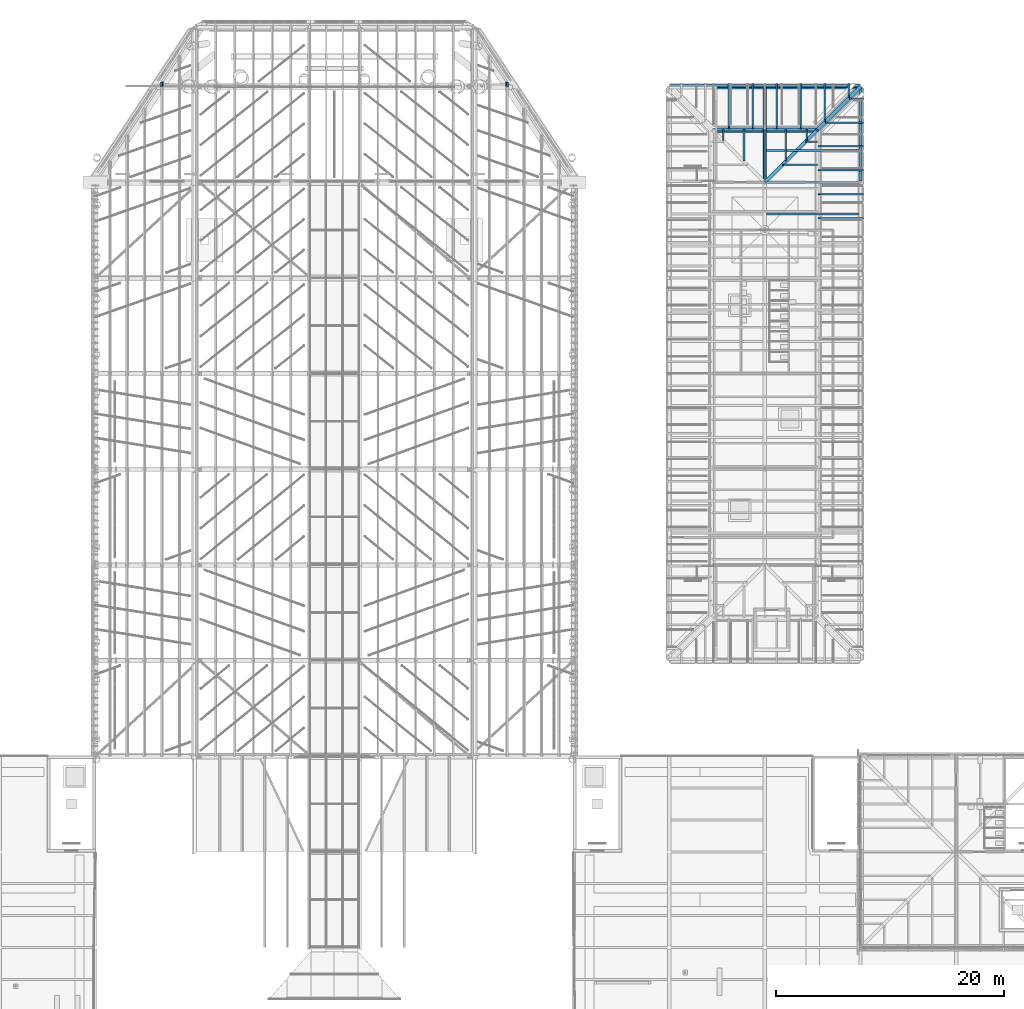
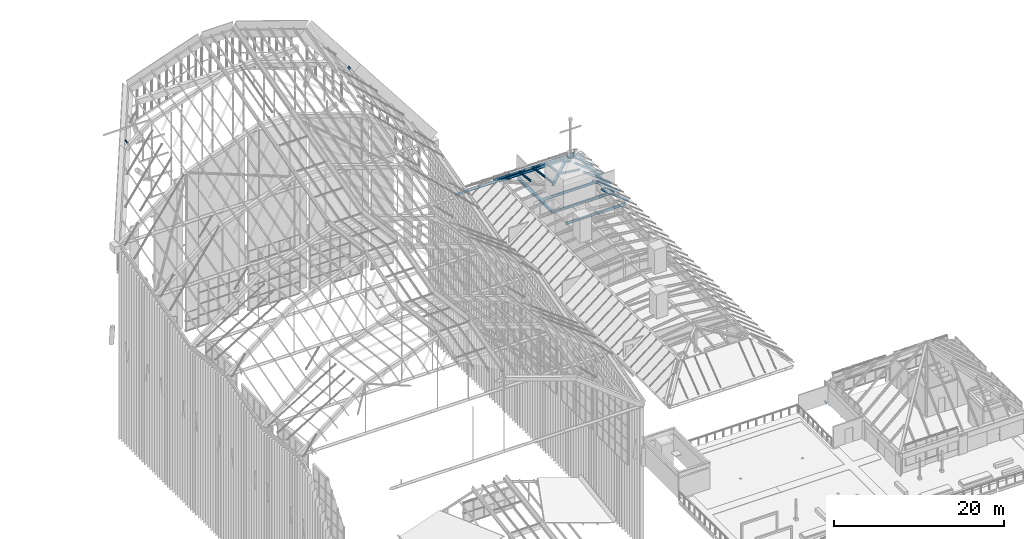
# One storey, part 68 of 126: 21 members, 10 beams.
"""IFC4 building model written with IfcOpenShell, lengths in metres."""

from ifc_helpers import new_model, si_unit, direction, frame, origin, origin_2d, place, context, subcontext, project, spatial, i_section, extrude, material, material_profile, profile_set, type_object, element, save


model = new_model("IFC4")

# Units and contexts
model_context = context("Model", 3, precision=1e-05, world=origin(), true_north=direction((0.0, 1.0)))
body_context = subcontext(model_context, "Body", "Model", "MODEL_VIEW")
ifc_project = project(units=[si_unit("LENGTHUNIT", "METRE"), si_unit("AREAUNIT", "SQUARE_METRE"), si_unit("VOLUMEUNIT", "CUBIC_METRE"), si_unit("PLANEANGLEUNIT", "RADIAN"), si_unit("MASSUNIT", "GRAM", prefix="KILO")], contexts=[model_context])

# Site, building, storey
site_placement = place(None, origin())
site = spatial("IfcSite", under=ifc_project, at=site_placement, CompositionType="ELEMENT")
building_placement = place(site_placement, origin())
building = spatial("IfcBuilding", under=site, at=building_placement, Name="Sava Quay Ferry Terminal", CompositionType="ELEMENT")
storey_placement = place(building_placement, frame((0.0, 0.0, 15.0)))
storey = spatial("IfcBuildingStorey", under=building, at=storey_placement, Name="L03", CompositionType="ELEMENT", Elevation=15.0)

# Beams
ifc_material_1 = material(Name="Steel S355", Category="steel")
ifc_material_profile_1 = material_profile(ifc_material_1, i_section(OverallWidth=0.10009765625, OverallDepth=0.199951171875, WebThickness=0.005615234375, FlangeThickness=0.008544921875, at=origin_2d()), Name="IPE 200")
ifc_profile_set_1 = profile_set([ifc_material_profile_1], Name="Steel S355")
beam_type_1 = type_object("IfcBeamType", Name="Beam IPE 200", PredefinedType="BEAM", material=ifc_profile_set_1)
beam_1_placement = place(storey_placement, frame((108.97509765625, 50.400390625, -0.10009765625), z_axis=(0.0, 1.0, 0.0), x_axis=(-1.0, 0.0, 0.0)))
element("IfcBeam", 1, at=beam_1_placement, inside=storey, type_object=beam_type_1, Name="Pier bracket Pier P-W-PAV grid 50.4", PredefinedType="BEAM", context=body_context, shape_type="SweptSolid", body=[
    extrude(i_section(OverallWidth=0.10009765625, OverallDepth=0.199951171875, WebThickness=0.005615234375, FlangeThickness=0.008544921875, at=origin_2d()), origin(), (0.0, 0.0, 1.0), 0.599609375),
])
ifc_material_2 = material(Name="Steel S355", Category="steel")
ifc_material_profile_2 = material_profile(ifc_material_2, i_section(OverallWidth=0.169921875, OverallDepth=0.360107421875, WebThickness=0.008056640625, FlangeThickness=0.0126953125, at=origin_2d()), Name="IPE 360")
ifc_profile_set_2 = profile_set([ifc_material_profile_2], Name="Steel S355")
beam_type_2 = type_object("IfcBeamType", Name="Beam IPE 360", PredefinedType="BEAM", material=ifc_profile_set_2)
beam_2_placement = place(storey_placement, frame((100.929931640625, 100.800048828125, -0.31005859375), z_axis=(1.0, 0.0, 0.0), x_axis=(0.0, 1.0, 0.0)))
element("IfcBeam", 2, at=beam_2_placement, inside=storey, type_object=beam_type_2, Name="Beam L03", PredefinedType="BEAM", context=body_context, shape_type="SweptSolid", body=[
    extrude(i_section(OverallWidth=0.169921875, OverallDepth=0.360107421875, WebThickness=0.008056640625, FlangeThickness=0.0126953125, at=origin_2d()), origin(), (0.0, 0.0, 1.0), 8.14013671875),
])
for number, where, z_axis, x_axis, name in (
    (3, (100.949951171875, 98.0, -0.31005859375), (1.0, 0.0, 0.0), (0.0, 1.0, 0.0), "Secondary beam L03"),
    (4, (100.949951171875, 103.60009765625, -0.31005859375), (1.0, 0.0, 0.0), (0.0, 1.0, 0.0), "Secondary beam L03"),
):
    element("IfcBeam", number, at=place(storey_placement, frame(where, z_axis=z_axis, x_axis=x_axis)), inside=storey, type_object=beam_type_2, Name=name, PredefinedType="BEAM", context=body_context, shape_type="SweptSolid", body=[
        extrude(i_section(OverallWidth=0.169921875, OverallDepth=0.360107421875, WebThickness=0.008056640625, FlangeThickness=0.0126953125, at=origin_2d()), origin(), (0.0, 0.0, 1.0), 8.10009765625),
    ])
ifc_material_3 = material(Name="Steel S355", Category="steel")
ifc_material_profile_3 = material_profile(ifc_material_3, i_section(OverallWidth=0.300048828125, OverallDepth=0.389892578125, WebThickness=0.010986328125, FlangeThickness=0.01904296875, at=origin_2d()), Name="HE 400 A")
ifc_profile_set_3 = profile_set([ifc_material_profile_3], Name="Steel S355")
beam_type_3 = type_object("IfcBeamType", Name="Girder HE 400 A", PredefinedType="BEAM", material=ifc_profile_set_3)
for number, where, z_axis, x_axis, name in (
    (5, (100.800048828125, 100.929931640625, -0.324951171875), (0.0, 1.0, 0.0), (-1.0, 0.0, 0.0), "Girder L03"),
    (6, (109.199951171875, 100.929931640625, -0.41162109375), (0.0, 1.0, 0.0), (-1.0, 0.0, 0.0), "Girder L03"),
):
    element("IfcBeam", number, at=place(storey_placement, frame(where, z_axis=z_axis, x_axis=x_axis)), inside=storey, type_object=beam_type_3, Name=name, PredefinedType="BEAM", context=body_context, shape_type="SweptSolid", body=[
        extrude(i_section(OverallWidth=0.300048828125, OverallDepth=0.389892578125, WebThickness=0.010986328125, FlangeThickness=0.01904296875, at=origin_2d()), origin(), (0.0, 0.0, 1.0), 8.14013671875),
    ])
ifc_material_4 = material(Name="Steel S355", Category="steel")
ifc_material_profile_4 = material_profile(ifc_material_4, i_section(OverallWidth=0.300048828125, OverallDepth=0.2900390625, WebThickness=0.008544921875, FlangeThickness=0.013916015625, at=origin_2d()), Name="HE 300 A")
ifc_profile_set_4 = profile_set([ifc_material_profile_4], Name="Steel S355")
beam_type_4 = type_object("IfcBeamType", Name="Mansard beam HE 300 A", PredefinedType="BEAM", material=ifc_profile_set_4)
beam_3_placement = place(storey_placement, frame((109.199951171875, 109.199951171875, 0.0), z_axis=(-0.618112557481, -0.618112557481, 0.485668335976), x_axis=(0.707106781187, -0.707106781187, 0.0)))
element("IfcBeam", 7, at=beam_3_placement, inside=storey, type_object=beam_type_4, Name="Mansard hip beam hip.E2", PredefinedType="BEAM", context=body_context, shape_type="SweptSolid", body=[
    extrude(i_section(OverallWidth=0.300048828125, OverallDepth=0.2900390625, WebThickness=0.008544921875, FlangeThickness=0.013916015625, at=origin_2d()), origin(), (0.0, 0.0, 1.0), 6.177001953125),
])
beam_4_placement = place(storey_placement, frame((105.3818359375, 105.3818359375, 3.0), z_axis=(-1.0, 0.0, 0.0), x_axis=(0.0, -0.921802970652, 0.387658720137)))
element("IfcBeam", 8, at=beam_4_placement, inside=storey, type_object=beam_type_4, Name="Mansard knee beam knee.2", PredefinedType="BEAM", context=body_context, shape_type="SweptSolid", body=[
    extrude(i_section(OverallWidth=0.300048828125, OverallDepth=0.2900390625, WebThickness=0.008544921875, FlangeThickness=0.013916015625, at=origin_2d()), origin(), (0.0, 0.0, 1.0), 9.16357421875),
])
beam_5_placement = place(storey_placement, frame((109.199951171875, 109.199951171875, 0.0), z_axis=(-1.0, 0.0, 0.0), x_axis=(0.0, -0.786318338826, 0.617821551927)))
element("IfcBeam", 9, at=beam_5_placement, inside=storey, type_object=beam_type_4, Name="Mansard eave beam eave.2", PredefinedType="BEAM", context=body_context, shape_type="SweptSolid", body=[
    extrude(i_section(OverallWidth=0.300048828125, OverallDepth=0.2900390625, WebThickness=0.008544921875, FlangeThickness=0.013916015625, at=origin_2d()), origin(), (0.0, 0.0, 1.0), 16.800048828125),
])
beam_6_placement = place(storey_placement, frame((105.3818359375, 105.3818359375, 3.0), z_axis=(-0.704093662632, -0.704093662632, 0.092218373888), x_axis=(0.707106781187, -0.707106781187, 0.0)))
element("IfcBeam", 10, at=beam_6_placement, inside=storey, type_object=beam_type_4, Name="Mansard hip beam hip.K2", PredefinedType="BEAM", context=body_context, shape_type="SweptSolid", body=[
    extrude(i_section(OverallWidth=0.300048828125, OverallDepth=0.2900390625, WebThickness=0.008544921875, FlangeThickness=0.013916015625, at=origin_2d()), origin(), (0.0, 0.0, 1.0), 6.50732421875),
])

# Members
ifc_material_5 = material(Name="Steel S355", Category="steel")
ifc_material_profile_5 = material_profile(ifc_material_5, i_section(OverallWidth=0.135009765625, OverallDepth=0.27001953125, WebThickness=0.006591796875, FlangeThickness=0.01025390625, at=origin_2d()), Name="IPE 270")
ifc_profile_set_5 = profile_set([ifc_material_profile_5], Name="Steel S355")
member_type_1 = type_object("IfcMemberType", Name="Mansard rafter IPE 270", PredefinedType="RAFTER", material=ifc_profile_set_5)
for number, where, z_axis, x_axis, name in (
    (11, (109.373046875, 97.64990234375, 0.22021484375), (-0.786332295644, 0.0, 0.617803788291), (0.0, -1.0, 0.0), "Mansard rafter O-L1-RA18"),
    (12, (109.373046875, 99.75, 0.22021484375), (-0.786332295644, 0.0, 0.617803788291), (0.0, -1.0, 0.0), "Mansard rafter O-L1-RA19"),
    (13, (109.373046875, 101.85009765625, 0.22021484375), (-0.786332295644, 0.0, 0.617803788291), (0.0, -1.0, 0.0), "Mansard rafter O-L1-RA20"),
    (14, (109.373046875, 103.949951171875, 0.22021484375), (-0.786332295644, 0.0, 0.617803788291), (0.0, -1.0, 0.0), "Mansard rafter O-L1-RA21"),
):
    element("IfcMember", number, at=place(storey_placement, frame(where, z_axis=z_axis, x_axis=x_axis)), inside=storey, type_object=member_type_1, Name=name, PredefinedType="RAFTER", context=body_context, shape_type="SweptSolid", body=[
        extrude(i_section(OverallWidth=0.135009765625, OverallDepth=0.27001953125, WebThickness=0.006591796875, FlangeThickness=0.01025390625, at=origin_2d()), origin(), (0.0, 0.0, 1.0), 4.85595703125),
    ])
member_1_placement = place(storey_placement, frame((109.373046875, 106.050048828125, 0.22021484375), z_axis=(-0.786350059008, 0.0, 0.617781178653), x_axis=(0.0, -1.0, 0.0)))
element("IfcMember", 15, at=member_1_placement, inside=storey, type_object=member_type_1, Name="Mansard rafter O-L1-RA22", PredefinedType="RAFTER", context=body_context, shape_type="SweptSolid", body=[
    extrude(i_section(OverallWidth=0.135009765625, OverallDepth=0.27001953125, WebThickness=0.006591796875, FlangeThickness=0.01025390625, at=origin_2d()), origin(), (0.0, 0.0, 1.0), 4.006103515625),
])
for number, where, z_axis, x_axis, name in (
    (16, (109.373046875, 108.14990234375, 0.22021484375), (-0.786350059008, 0.0, 0.617781178653), (0.0, -1.0, 0.0), "Mansard rafter O-L1-RA23"),
    (17, (108.14990234375, 109.373046875, 0.22021484375), (0.0, -0.786350059008, 0.617781178653), (1.0, 0.0, 0.0), "Mansard rafter O-L2-RA0"),
):
    element("IfcMember", number, at=place(storey_placement, frame(where, z_axis=z_axis, x_axis=x_axis)), inside=storey, type_object=member_type_1, Name=name, PredefinedType="RAFTER", context=body_context, shape_type="SweptSolid", body=[
        extrude(i_section(OverallWidth=0.135009765625, OverallDepth=0.27001953125, WebThickness=0.006591796875, FlangeThickness=0.01025390625, at=origin_2d()), origin(), (0.0, 0.0, 1.0), 1.33544921875),
    ])
member_2_placement = place(storey_placement, frame((106.050048828125, 109.373046875, 0.22021484375), z_axis=(0.0, -0.786350059008, 0.617781178653), x_axis=(1.0, 0.0, 0.0)))
element("IfcMember", 18, at=member_2_placement, inside=storey, type_object=member_type_1, Name="Mansard rafter O-L2-RA1", PredefinedType="RAFTER", context=body_context, shape_type="SweptSolid", body=[
    extrude(i_section(OverallWidth=0.135009765625, OverallDepth=0.27001953125, WebThickness=0.006591796875, FlangeThickness=0.01025390625, at=origin_2d()), origin(), (0.0, 0.0, 1.0), 4.006103515625),
])
for number, where, z_axis, x_axis, name in (
    (19, (103.949951171875, 109.373046875, 0.22021484375), (0.0, -0.786332295644, 0.617803788291), (1.0, 0.0, 0.0), "Mansard rafter O-L2-RA2"),
    (20, (101.85009765625, 109.373046875, 0.22021484375), (0.0, -0.786332295644, 0.617803788291), (1.0, 0.0, 0.0), "Mansard rafter O-L2-RA3"),
    (21, (99.75, 109.373046875, 0.22021484375), (0.0, -0.786332295644, 0.617803788291), (1.0, 0.0, 0.0), "Mansard rafter O-L2-RA4"),
    (22, (97.64990234375, 109.373046875, 0.22021484375), (0.0, -0.786332295644, 0.617803788291), (1.0, 0.0, 0.0), "Mansard rafter O-L2-RA5"),
):
    element("IfcMember", number, at=place(storey_placement, frame(where, z_axis=z_axis, x_axis=x_axis)), inside=storey, type_object=member_type_1, Name=name, PredefinedType="RAFTER", context=body_context, shape_type="SweptSolid", body=[
        extrude(i_section(OverallWidth=0.135009765625, OverallDepth=0.27001953125, WebThickness=0.006591796875, FlangeThickness=0.01025390625, at=origin_2d()), origin(), (0.0, 0.0, 1.0), 4.85595703125),
    ])
member_3_placement = place(storey_placement, frame((105.418212890625, 102.327392578125, 3.277587890625), z_axis=(-0.991529116301, 0.0, 0.129884608505), x_axis=(0.0, -1.0, 0.0)))
element("IfcMember", 23, at=member_3_placement, inside=storey, type_object=member_type_1, Name="Mansard rafter O-U1-RA19", PredefinedType="RAFTER", context=body_context, shape_type="SweptSolid", body=[
    extrude(i_section(OverallWidth=0.135009765625, OverallDepth=0.27001953125, WebThickness=0.006591796875, FlangeThickness=0.01025390625, at=origin_2d()), origin(), (0.0, 0.0, 1.0), 3.080810546875),
])
member_4_placement = place(storey_placement, frame((105.418212890625, 104.363525390625, 3.277587890625), z_axis=(-0.991540654163, 0.0, 0.129796498963), x_axis=(0.0, -1.0, 0.0)))
element("IfcMember", 24, at=member_4_placement, inside=storey, type_object=member_type_1, Name="Mansard rafter O-U1-RA20", PredefinedType="RAFTER", context=body_context, shape_type="SweptSolid", body=[
    extrude(i_section(OverallWidth=0.135009765625, OverallDepth=0.27001953125, WebThickness=0.006591796875, FlangeThickness=0.01025390625, at=origin_2d()), origin(), (0.0, 0.0, 1.0), 1.027099609375),
])
member_5_placement = place(storey_placement, frame((104.465576171875, 105.418212890625, 3.277587890625), z_axis=(0.0, -0.991520692021, 0.12994890263), x_axis=(1.0, 0.0, 0.0)))
element("IfcMember", 25, at=member_5_placement, inside=storey, type_object=member_type_1, Name="Mansard rafter O-U2-RA0", PredefinedType="RAFTER", context=body_context, shape_type="SweptSolid", body=[
    extrude(i_section(OverallWidth=0.135009765625, OverallDepth=0.27001953125, WebThickness=0.006591796875, FlangeThickness=0.01025390625, at=origin_2d()), origin(), (0.0, 0.0, 1.0), 0.92431640625),
])
member_6_placement = place(storey_placement, frame((102.6328125, 105.418212890625, 3.277587890625), z_axis=(0.0, -0.991529061919, 0.129885023653), x_axis=(1.0, 0.0, 0.0)))
element("IfcMember", 26, at=member_6_placement, inside=storey, type_object=member_type_1, Name="Mansard rafter O-U2-RA1", PredefinedType="RAFTER", context=body_context, shape_type="SweptSolid", body=[
    extrude(i_section(OverallWidth=0.135009765625, OverallDepth=0.27001953125, WebThickness=0.006591796875, FlangeThickness=0.01025390625, at=origin_2d()), origin(), (0.0, 0.0, 1.0), 2.7724609375),
])
member_7_placement = place(storey_placement, frame((100.800048828125, 105.418212890625, 3.277587890625), z_axis=(0.0, -0.991531626892, 0.129865441408), x_axis=(1.0, 0.0, 0.0)))
element("IfcMember", 27, at=member_7_placement, inside=storey, type_object=member_type_1, Name="Mansard rafter O-U2-RA2", PredefinedType="RAFTER", context=body_context, shape_type="SweptSolid", body=[
    extrude(i_section(OverallWidth=0.135009765625, OverallDepth=0.27001953125, WebThickness=0.006591796875, FlangeThickness=0.01025390625, at=origin_2d()), origin(), (0.0, 0.0, 1.0), 4.620849609375),
])
member_8_placement = place(storey_placement, frame((98.96728515625, 105.418212890625, 3.277587890625), z_axis=(0.0, -0.991529061919, 0.129885023653), x_axis=(1.0, 0.0, 0.0)))
element("IfcMember", 28, at=member_8_placement, inside=storey, type_object=member_type_1, Name="Mansard rafter O-U2-RA3", PredefinedType="RAFTER", context=body_context, shape_type="SweptSolid", body=[
    extrude(i_section(OverallWidth=0.135009765625, OverallDepth=0.27001953125, WebThickness=0.006591796875, FlangeThickness=0.01025390625, at=origin_2d()), origin(), (0.0, 0.0, 1.0), 2.7724609375),
])
member_9_placement = place(storey_placement, frame((97.134521484375, 105.418212890625, 3.277587890625), z_axis=(0.0, -0.991520692021, 0.12994890263), x_axis=(1.0, 0.0, 0.0)))
element("IfcMember", 29, at=member_9_placement, inside=storey, type_object=member_type_1, Name="Mansard rafter O-U2-RA4", PredefinedType="RAFTER", context=body_context, shape_type="SweptSolid", body=[
    extrude(i_section(OverallWidth=0.135009765625, OverallDepth=0.27001953125, WebThickness=0.006591796875, FlangeThickness=0.01025390625, at=origin_2d()), origin(), (0.0, 0.0, 1.0), 0.92431640625),
])
ifc_material_6 = material(Name="Steel S355", Category="steel")
ifc_material_profile_6 = material_profile(ifc_material_6, i_section(OverallWidth=0.135009765625, OverallDepth=0.27001953125, WebThickness=0.006591796875, FlangeThickness=0.01025390625, at=origin_2d()), Name="IPE 270")
ifc_profile_set_6 = profile_set([ifc_material_profile_6], Name="Steel S355")
member_type_2 = type_object("IfcMemberType", Name="Roof purlin IPE 270", PredefinedType="PURLIN", material=ifc_profile_set_6)
for number, where, z_axis, x_axis, name in (
    (30, (47.86279296875, 109.199951171875, 23.068359375), (0.0, 0.964631745365, 0.263601206054), (-0.798616130707, 0.158645944796, -0.580554683018), "Departure hall purlin bay 8 M0.4"),
    (31, (78.13720703125, 109.199951171875, 23.068359375), (0.0, 0.964631745365, 0.263601206054), (-0.798616130707, -0.158645944796, 0.580554683018), "Departure hall purlin bay 8 M4.2"),
):
    element("IfcMember", number, at=place(storey_placement, frame(where, z_axis=z_axis, x_axis=x_axis)), inside=storey, type_object=member_type_2, Name=name, PredefinedType="PURLIN", context=body_context, shape_type="SweptSolid", body=[
        extrude(i_section(OverallWidth=0.135009765625, OverallDepth=0.27001953125, WebThickness=0.006591796875, FlangeThickness=0.01025390625, at=origin_2d()), origin(), (0.0, 0.0, 1.0), 0.427001953125),
    ])

save(model, "model.ifc")
